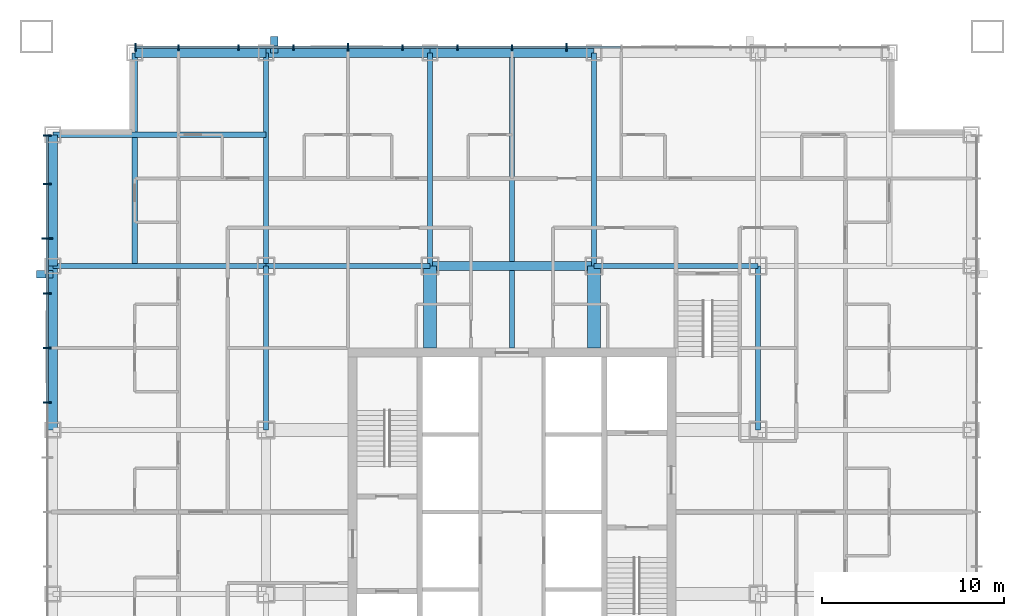
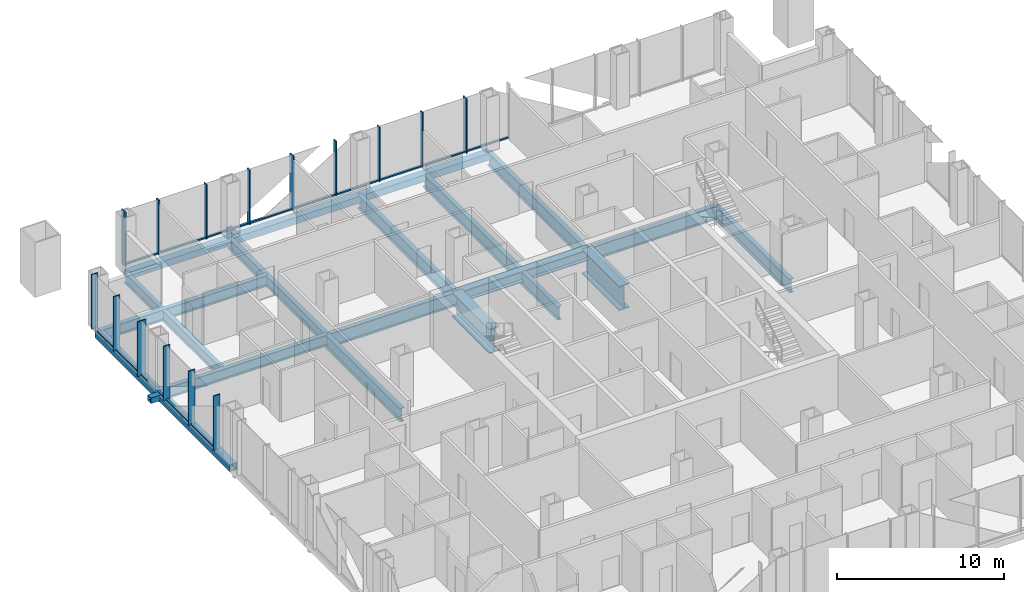
# One storey, part 4 of 13: 31 members, 19 beams, 2 elements without a shape of their own.
"""IFC4 building model written with IfcOpenShell, lengths in metres."""

from ifc_helpers import new_model, si_unit, direction, frame, origin, origin_2d, place, context, subcontext, project, spatial, rectangle, hollow_rectangle, i_section, extrude, material, layer, layer_set, material_profile, profile_set, type_object, element, aggregate, save


model = new_model("IFC4")

# Units and contexts
model_context = context("Model", 3, precision=1e-05, world=origin(), true_north=direction((0.0, 1.0)))
body_context = subcontext(model_context, "Body", "Model", "MODEL_VIEW")
ifc_project = project(units=[si_unit("LENGTHUNIT", "METRE"), si_unit("AREAUNIT", "SQUARE_METRE"), si_unit("VOLUMEUNIT", "CUBIC_METRE"), si_unit("PLANEANGLEUNIT", "RADIAN"), si_unit("MASSUNIT", "GRAM", prefix="KILO")], contexts=[model_context])

# Site, building, storey
site_placement = place(None, origin())
site = spatial("IfcSite", under=ifc_project, at=site_placement, CompositionType="ELEMENT")
building_placement = place(site_placement, origin())
building = spatial("IfcBuilding", under=site, at=building_placement, Name="Malebo Sky Hospital", CompositionType="ELEMENT")
storey_placement = place(building_placement, frame((0.0, 0.0, 39.0)))
storey = spatial("IfcBuildingStorey", under=building, at=storey_placement, Name="L08", CompositionType="ELEMENT", Elevation=39.0)

# Curtain wall, members
ifc_material_1 = material(Name="Anodised aluminium, natural silver", Category="aluminium")
ifc_layer_1 = layer(ifc_material_1, 0.25)
ifc_layer_set_1 = layer_set([ifc_layer_1], Name="WARD CURTAIN WALL NORTH AND SOUTH")
curtain_wall_type_1 = type_object("IfcCurtainWallType", Name="WARD CURTAIN WALL NORTH AND SOUTH", PredefinedType="NOTDEFINED", material=ifc_layer_set_1)
curtain_wall_1_placement = place(storey_placement, origin())
curtain_wall_1 = element("IfcCurtainWall", 1, at=curtain_wall_1_placement, inside=storey, type_object=curtain_wall_type_1, Name="NS curtain wall N", PredefinedType="NOTDEFINED")
ifc_material_profile_1 = material_profile(ifc_material_1, rectangle(XDim=0.14990234375, YDim=0.10009765625, at=origin_2d()), Name="ALUMINIUM TRANSOM 150x100")
ifc_profile_set_1 = profile_set([ifc_material_profile_1], Name="Anodised aluminium, natural silver")
member_type_1 = type_object("IfcMemberType", Name="ALUMINIUM TRANSOM 150x100", PredefinedType="USERDEFINED", material=ifc_profile_set_1)
member_1_placement = place(storey_placement, frame((39.375, 87.5, 0.050048828125), z_axis=(1.0, 0.0, 0.0), x_axis=(0.0, 1.0, 0.0)))
member_1 = element("IfcMember", 2, at=member_1_placement, type_object=member_type_1, Name="Transom 1", ObjectType="TRANSOM", PredefinedType="USERDEFINED", context=body_context, shape_type="SweptSolid", body=[
    extrude(rectangle(XDim=0.14990234375, YDim=0.10009765625, at=origin_2d()), origin(), (0.0, 0.0, 1.0), 2.28759765625),
])
member_2_placement = place(storey_placement, frame((41.737548828125, 87.5, 0.050048828125), z_axis=(1.0, 0.0, 0.0), x_axis=(0.0, 1.0, 0.0)))
member_2 = element("IfcMember", 3, at=member_2_placement, type_object=member_type_1, Name="Transom 2", ObjectType="TRANSOM", PredefinedType="USERDEFINED", context=body_context, shape_type="SweptSolid", body=[
    extrude(rectangle(XDim=0.14990234375, YDim=0.10009765625, at=origin_2d()), origin(), (0.0, 0.0, 1.0), 3.224853515625),
])
member_3_placement = place(storey_placement, frame((45.03759765625, 87.5, 0.050048828125), z_axis=(1.0, 0.0, 0.0), x_axis=(0.0, 1.0, 0.0)))
member_3 = element("IfcMember", 4, at=member_3_placement, type_object=member_type_1, Name="Transom 3", ObjectType="TRANSOM", PredefinedType="USERDEFINED", context=body_context, shape_type="SweptSolid", body=[
    extrude(rectangle(XDim=0.14990234375, YDim=0.10009765625, at=origin_2d()), origin(), (0.0, 0.0, 1.0), 2.9248046875),
])
member_4_placement = place(storey_placement, frame((48.03759765625, 87.5, 0.050048828125), z_axis=(1.0, 0.0, 0.0), x_axis=(0.0, 1.0, 0.0)))
member_4 = element("IfcMember", 5, at=member_4_placement, type_object=member_type_1, Name="Transom 4", ObjectType="TRANSOM", PredefinedType="USERDEFINED", context=body_context, shape_type="SweptSolid", body=[
    extrude(rectangle(XDim=0.14990234375, YDim=0.10009765625, at=origin_2d()), origin(), (0.0, 0.0, 1.0), 2.9248046875),
])
member_5_placement = place(storey_placement, frame((51.03759765625, 87.5, 0.050048828125), z_axis=(1.0, 0.0, 0.0), x_axis=(0.0, 1.0, 0.0)))
member_5 = element("IfcMember", 6, at=member_5_placement, type_object=member_type_1, Name="Transom 5", ObjectType="TRANSOM", PredefinedType="USERDEFINED", context=body_context, shape_type="SweptSolid", body=[
    extrude(rectangle(XDim=0.14990234375, YDim=0.10009765625, at=origin_2d()), origin(), (0.0, 0.0, 1.0), 2.9248046875),
])
member_6_placement = place(storey_placement, frame((54.03759765625, 87.5, 0.050048828125), z_axis=(1.0, 0.0, 0.0), x_axis=(0.0, 1.0, 0.0)))
member_6 = element("IfcMember", 7, at=member_6_placement, type_object=member_type_1, Name="Transom 6", ObjectType="TRANSOM", PredefinedType="USERDEFINED", context=body_context, shape_type="SweptSolid", body=[
    extrude(rectangle(XDim=0.14990234375, YDim=0.10009765625, at=origin_2d()), origin(), (0.0, 0.0, 1.0), 2.9248046875),
])
member_7_placement = place(storey_placement, frame((57.03759765625, 87.5, 0.050048828125), z_axis=(1.0, 0.0, 0.0), x_axis=(0.0, 1.0, 0.0)))
member_7 = element("IfcMember", 8, at=member_7_placement, type_object=member_type_1, Name="Transom 7", ObjectType="TRANSOM", PredefinedType="USERDEFINED", context=body_context, shape_type="SweptSolid", body=[
    extrude(rectangle(XDim=0.14990234375, YDim=0.10009765625, at=origin_2d()), origin(), (0.0, 0.0, 1.0), 2.9248046875),
])
member_8_placement = place(storey_placement, frame((60.03759765625, 87.5, 0.050048828125), z_axis=(1.0, 0.0, 0.0), x_axis=(0.0, 1.0, 0.0)))
member_8 = element("IfcMember", 9, at=member_8_placement, type_object=member_type_1, Name="Transom 8", ObjectType="TRANSOM", PredefinedType="USERDEFINED", context=body_context, shape_type="SweptSolid", body=[
    extrude(rectangle(XDim=0.14990234375, YDim=0.10009765625, at=origin_2d()), origin(), (0.0, 0.0, 1.0), 2.9248046875),
])
member_9_placement = place(storey_placement, frame((63.03759765625, 87.5, 0.050048828125), z_axis=(1.0, 0.0, 0.0), x_axis=(0.0, 1.0, 0.0)))
member_9 = element("IfcMember", 10, at=member_9_placement, type_object=member_type_1, Name="Transom 9", ObjectType="TRANSOM", PredefinedType="USERDEFINED", context=body_context, shape_type="SweptSolid", body=[
    extrude(rectangle(XDim=0.14990234375, YDim=0.10009765625, at=origin_2d()), origin(), (0.0, 0.0, 1.0), 2.9248046875),
])

ifc_layer_2 = layer(ifc_material_1, 0.25)
ifc_layer_set_2 = layer_set([ifc_layer_2], Name="WARD CURTAIN WALL EAST AND WEST")
curtain_wall_type_2 = type_object("IfcCurtainWallType", Name="WARD CURTAIN WALL EAST AND WEST", PredefinedType="NOTDEFINED", material=ifc_layer_set_2)
curtain_wall_2_placement = place(storey_placement, origin())
curtain_wall_2 = element("IfcCurtainWall", 11, at=curtain_wall_2_placement, inside=storey, type_object=curtain_wall_type_2, Name="EW curtain wall W", PredefinedType="NOTDEFINED")
member_10_placement = place(storey_placement, frame((34.5, 68.03759765625, 0.050048828125), z_axis=(0.0, 1.0, 0.0), x_axis=(-1.0, 0.0, 0.0)))
member_10 = element("IfcMember", 12, at=member_10_placement, type_object=member_type_1, Name="Transom 10", ObjectType="TRANSOM", PredefinedType="USERDEFINED", context=body_context, shape_type="SweptSolid", body=[
    extrude(rectangle(XDim=0.14990234375, YDim=0.10009765625, at=origin_2d()), origin(), (0.0, 0.0, 1.0), 2.9248046875),
])
member_11_placement = place(storey_placement, frame((34.5, 71.03759765625, 0.050048828125), z_axis=(0.0, 1.0, 0.0), x_axis=(-1.0, 0.0, 0.0)))
member_11 = element("IfcMember", 13, at=member_11_placement, type_object=member_type_1, Name="Transom 11", ObjectType="TRANSOM", PredefinedType="USERDEFINED", context=body_context, shape_type="SweptSolid", body=[
    extrude(rectangle(XDim=0.14990234375, YDim=0.10009765625, at=origin_2d()), origin(), (0.0, 0.0, 1.0), 2.9248046875),
])
member_12_placement = place(storey_placement, frame((34.5, 74.03759765625, 0.050048828125), z_axis=(0.0, 1.0, 0.0), x_axis=(-1.0, 0.0, 0.0)))
member_12 = element("IfcMember", 14, at=member_12_placement, type_object=member_type_1, Name="Transom 12", ObjectType="TRANSOM", PredefinedType="USERDEFINED", context=body_context, shape_type="SweptSolid", body=[
    extrude(rectangle(XDim=0.14990234375, YDim=0.10009765625, at=origin_2d()), origin(), (0.0, 0.0, 1.0), 2.9248046875),
])
member_13_placement = place(storey_placement, frame((34.5, 77.03759765625, 0.050048828125), z_axis=(0.0, 1.0, 0.0), x_axis=(-1.0, 0.0, 0.0)))
member_13 = element("IfcMember", 15, at=member_13_placement, type_object=member_type_1, Name="Transom 13", ObjectType="TRANSOM", PredefinedType="USERDEFINED", context=body_context, shape_type="SweptSolid", body=[
    extrude(rectangle(XDim=0.14990234375, YDim=0.10009765625, at=origin_2d()), origin(), (0.0, 0.0, 1.0), 2.9248046875),
])
member_14_placement = place(storey_placement, frame((34.5, 80.03759765625, 0.050048828125), z_axis=(0.0, 1.0, 0.0), x_axis=(-1.0, 0.0, 0.0)))
member_14 = element("IfcMember", 16, at=member_14_placement, type_object=member_type_1, Name="Transom 14", ObjectType="TRANSOM", PredefinedType="USERDEFINED", context=body_context, shape_type="SweptSolid", body=[
    extrude(rectangle(XDim=0.14990234375, YDim=0.10009765625, at=origin_2d()), origin(), (0.0, 0.0, 1.0), 2.58740234375),
])

# Members
ifc_material_2 = material(Name="Steel S355", Category="steel")
ifc_material_profile_2 = material_profile(ifc_material_2, hollow_rectangle(XDim=0.39990234375, YDim=0.39990234375, WallThickness=0.02001953125, at=origin_2d()), Name="SHS 400x20")
ifc_profile_set_2 = profile_set([ifc_material_profile_2], Name="Steel S355")
member_type_2 = type_object("IfcMemberType", Name="BRACE STRUT SHS 400x20", PredefinedType="STRUT", material=ifc_profile_set_2)
for number, where, z_axis, x_axis, name in (
    (17, (46.949951171875, 88.10009765625, -0.39990234375), (0.0, -1.0, 0.0), (1.0, 0.0, 0.0), "Brace strut AN2 L08"),
    (18, (33.89990234375, 75.050048828125, -0.39990234375), (1.0, 0.0, 0.0), (0.0, 1.0, 0.0), "Brace strut AW1 L08"),
):
    element("IfcMember", number, at=place(storey_placement, frame(where, z_axis=z_axis, x_axis=x_axis)), inside=storey, type_object=member_type_2, Name=name, PredefinedType="STRUT", context=body_context, shape_type="SweptSolid", body=[
        extrude(hollow_rectangle(XDim=0.39990234375, YDim=0.39990234375, WallThickness=0.02001953125, at=origin_2d()), origin(), (0.0, 0.0, 1.0), 0.900146484375),
    ])

# Member
ifc_material_profile_3 = material_profile(ifc_material_1, rectangle(XDim=0.074951171875, YDim=0.300048828125, at=origin_2d()), Name="CW1 ALUMINIUM FIN MULLION 75x300")
ifc_profile_set_3 = profile_set([ifc_material_profile_3], Name="Anodised aluminium, natural silver")
member_type_3 = type_object("IfcMemberType", Name="CW1 ALUMINIUM FIN MULLION 75x300", PredefinedType="MULLION", material=ifc_profile_set_3)
member_15_placement = place(storey_placement, frame((41.699951171875, 87.5, 0.0), z_axis=(0.0, 0.0, 1.0), x_axis=(1.0, 0.0, 0.0)))
member_15 = element("IfcMember", 19, at=member_15_placement, type_object=member_type_3, Name="Fin mullion 2", PredefinedType="MULLION", context=body_context, shape_type="SweptSolid", body=[
    extrude(rectangle(XDim=0.074951171875, YDim=0.300048828125, at=origin_2d()), origin(), (0.0, 0.0, 1.0), 4.0),
])

member_16_placement = place(storey_placement, frame((45.0, 87.5, 0.0), z_axis=(0.0, 0.0, 1.0), x_axis=(1.0, 0.0, 0.0)))
member_16 = element("IfcMember", 20, at=member_16_placement, type_object=member_type_3, Name="Fin mullion 3", PredefinedType="MULLION", context=body_context, shape_type="SweptSolid", body=[
    extrude(rectangle(XDim=0.074951171875, YDim=0.300048828125, at=origin_2d()), origin(), (0.0, 0.0, 1.0), 4.0),
])

member_17_placement = place(storey_placement, frame((48.0, 87.5, 0.0), z_axis=(0.0, 0.0, 1.0), x_axis=(1.0, 0.0, 0.0)))
member_17 = element("IfcMember", 21, at=member_17_placement, type_object=member_type_3, Name="Fin mullion 4", PredefinedType="MULLION", context=body_context, shape_type="SweptSolid", body=[
    extrude(rectangle(XDim=0.074951171875, YDim=0.300048828125, at=origin_2d()), origin(), (0.0, 0.0, 1.0), 4.0),
])

member_18_placement = place(storey_placement, frame((54.0, 87.5, 0.0), z_axis=(0.0, 0.0, 1.0), x_axis=(1.0, 0.0, 0.0)))
member_18 = element("IfcMember", 22, at=member_18_placement, type_object=member_type_3, Name="Fin mullion 6", PredefinedType="MULLION", context=body_context, shape_type="SweptSolid", body=[
    extrude(rectangle(XDim=0.074951171875, YDim=0.300048828125, at=origin_2d()), origin(), (0.0, 0.0, 1.0), 4.0),
])

member_19_placement = place(storey_placement, frame((57.0, 87.5, 0.0), z_axis=(0.0, 0.0, 1.0), x_axis=(1.0, 0.0, 0.0)))
member_19 = element("IfcMember", 23, at=member_19_placement, type_object=member_type_3, Name="Fin mullion 7", PredefinedType="MULLION", context=body_context, shape_type="SweptSolid", body=[
    extrude(rectangle(XDim=0.074951171875, YDim=0.300048828125, at=origin_2d()), origin(), (0.0, 0.0, 1.0), 4.0),
])

member_20_placement = place(storey_placement, frame((60.0, 87.5, 0.0), z_axis=(0.0, 0.0, 1.0), x_axis=(1.0, 0.0, 0.0)))
member_20 = element("IfcMember", 24, at=member_20_placement, type_object=member_type_3, Name="Fin mullion 8", PredefinedType="MULLION", context=body_context, shape_type="SweptSolid", body=[
    extrude(rectangle(XDim=0.074951171875, YDim=0.300048828125, at=origin_2d()), origin(), (0.0, 0.0, 1.0), 4.0),
])

ifc_material_profile_4 = material_profile(ifc_material_1, rectangle(XDim=0.074951171875, YDim=0.449951171875, at=origin_2d()), Name="CW1 ALUMINIUM FIN MULLION 75x450")
ifc_profile_set_4 = profile_set([ifc_material_profile_4], Name="Anodised aluminium, natural silver")
member_type_4 = type_object("IfcMemberType", Name="CW1 ALUMINIUM FIN MULLION 75x450", PredefinedType="MULLION", material=ifc_profile_set_4)
member_21_placement = place(storey_placement, frame((39.33740234375, 87.5, 0.0), z_axis=(0.0, 0.0, 1.0), x_axis=(1.0, 0.0, 0.0)))
member_21 = element("IfcMember", 25, at=member_21_placement, type_object=member_type_4, Name="Fin mullion 1", PredefinedType="MULLION", context=body_context, shape_type="SweptSolid", body=[
    extrude(rectangle(XDim=0.074951171875, YDim=0.449951171875, at=origin_2d()), origin(), (0.0, 0.0, 1.0), 4.0),
])

member_22_placement = place(storey_placement, frame((51.0, 87.5, 0.0), z_axis=(0.0, 0.0, 1.0), x_axis=(1.0, 0.0, 0.0)))
member_22 = element("IfcMember", 26, at=member_22_placement, type_object=member_type_4, Name="Fin mullion 5", PredefinedType="MULLION", context=body_context, shape_type="SweptSolid", body=[
    extrude(rectangle(XDim=0.074951171875, YDim=0.449951171875, at=origin_2d()), origin(), (0.0, 0.0, 1.0), 4.0),
])

member_23_placement = place(storey_placement, frame((63.0, 87.5, 0.0), z_axis=(0.0, 0.0, 1.0), x_axis=(1.0, 0.0, 0.0)))
member_23 = element("IfcMember", 27, at=member_23_placement, type_object=member_type_4, Name="Fin mullion 9", PredefinedType="MULLION", context=body_context, shape_type="SweptSolid", body=[
    extrude(rectangle(XDim=0.074951171875, YDim=0.449951171875, at=origin_2d()), origin(), (0.0, 0.0, 1.0), 4.0),
])

aggregate(curtain_wall_1, [member_21, member_15, member_16, member_17, member_22, member_18, member_19, member_20, member_23, member_1, member_2, member_3, member_4, member_5, member_6, member_7, member_8, member_9])

ifc_material_profile_5 = material_profile(ifc_material_1, rectangle(XDim=0.074951171875, YDim=0.449951171875, at=origin_2d()), Name="CW2 ALUMINIUM FIN MULLION 75x450")
ifc_profile_set_5 = profile_set([ifc_material_profile_5], Name="Anodised aluminium, natural silver")
member_type_5 = type_object("IfcMemberType", Name="CW2 ALUMINIUM FIN MULLION 75x450", PredefinedType="MULLION", material=ifc_profile_set_5)
member_24_placement = place(storey_placement, frame((34.5, 68.0, 0.0), z_axis=(0.0, 0.0, 1.0), x_axis=(0.0, 1.0, 0.0)))
member_24 = element("IfcMember", 28, at=member_24_placement, type_object=member_type_5, Name="Fin mullion 10", PredefinedType="MULLION", context=body_context, shape_type="SweptSolid", body=[
    extrude(rectangle(XDim=0.074951171875, YDim=0.449951171875, at=origin_2d()), origin(), (0.0, 0.0, 1.0), 4.0),
])

member_25_placement = place(storey_placement, frame((34.5, 71.0, 0.0), z_axis=(0.0, 0.0, 1.0), x_axis=(0.0, 1.0, 0.0)))
member_25 = element("IfcMember", 29, at=member_25_placement, type_object=member_type_5, Name="Fin mullion 11", PredefinedType="MULLION", context=body_context, shape_type="SweptSolid", body=[
    extrude(rectangle(XDim=0.074951171875, YDim=0.449951171875, at=origin_2d()), origin(), (0.0, 0.0, 1.0), 4.0),
])

member_26_placement = place(storey_placement, frame((34.5, 74.0, 0.0), z_axis=(0.0, 0.0, 1.0), x_axis=(0.0, 1.0, 0.0)))
member_26 = element("IfcMember", 30, at=member_26_placement, type_object=member_type_5, Name="Fin mullion 12", PredefinedType="MULLION", context=body_context, shape_type="SweptSolid", body=[
    extrude(rectangle(XDim=0.074951171875, YDim=0.449951171875, at=origin_2d()), origin(), (0.0, 0.0, 1.0), 4.0),
])

member_27_placement = place(storey_placement, frame((34.5, 80.0, 0.0), z_axis=(0.0, 0.0, 1.0), x_axis=(0.0, 1.0, 0.0)))
member_27 = element("IfcMember", 31, at=member_27_placement, type_object=member_type_5, Name="Fin mullion 14", PredefinedType="MULLION", context=body_context, shape_type="SweptSolid", body=[
    extrude(rectangle(XDim=0.074951171875, YDim=0.449951171875, at=origin_2d()), origin(), (0.0, 0.0, 1.0), 4.0),
])

member_28_placement = place(storey_placement, frame((34.5, 82.66259765625, 0.0), z_axis=(0.0, 0.0, 1.0), x_axis=(0.0, 1.0, 0.0)))
member_28 = element("IfcMember", 32, at=member_28_placement, type_object=member_type_5, Name="Fin mullion 15", PredefinedType="MULLION", context=body_context, shape_type="SweptSolid", body=[
    extrude(rectangle(XDim=0.074951171875, YDim=0.449951171875, at=origin_2d()), origin(), (0.0, 0.0, 1.0), 4.0),
])

ifc_material_profile_6 = material_profile(ifc_material_1, rectangle(XDim=0.074951171875, YDim=0.60009765625, at=origin_2d()), Name="CW2 ALUMINIUM FIN MULLION 75x600")
ifc_profile_set_6 = profile_set([ifc_material_profile_6], Name="Anodised aluminium, natural silver")
member_type_6 = type_object("IfcMemberType", Name="CW2 ALUMINIUM FIN MULLION 75x600", PredefinedType="MULLION", material=ifc_profile_set_6)
member_29_placement = place(storey_placement, frame((34.5, 77.0, 0.0), z_axis=(0.0, 0.0, 1.0), x_axis=(0.0, 1.0, 0.0)))
member_29 = element("IfcMember", 33, at=member_29_placement, type_object=member_type_6, Name="Fin mullion 13", PredefinedType="MULLION", context=body_context, shape_type="SweptSolid", body=[
    extrude(rectangle(XDim=0.074951171875, YDim=0.60009765625, at=origin_2d()), origin(), (0.0, 0.0, 1.0), 4.0),
])

aggregate(curtain_wall_2, [member_24, member_25, member_26, member_29, member_27, member_28, member_10, member_11, member_12, member_13, member_14])

# Beams
ifc_material_3 = material(Name="Steel S460", Category="steel")
ifc_material_profile_7 = material_profile(ifc_material_3, hollow_rectangle(XDim=0.5, YDim=0.5, WallThickness=0.030029296875, at=origin_2d()), Name="BOX 500x500x30")
ifc_profile_set_7 = profile_set([ifc_material_profile_7], Name="Steel S460")
beam_type_1 = type_object("IfcBeamType", Name="EDGE BEAM BOX 500x500x30", PredefinedType="BEAM", material=ifc_profile_set_7)
beam_1_placement = place(storey_placement, frame((34.800048828125, 66.5, -0.5), z_axis=(0.0, 1.0, 0.0), x_axis=(-1.0, 0.0, 0.0)))
element("IfcBeam", 34, at=beam_1_placement, inside=storey, type_object=beam_type_1, Name="Beam 003 L08", PredefinedType="BEAM", context=body_context, shape_type="SweptSolid", body=[
    extrude(hollow_rectangle(XDim=0.5, YDim=0.5, WallThickness=0.030029296875, at=origin_2d()), origin(), (0.0, 0.0, 1.0), 9.0),
])
for number, where, z_axis, x_axis, name in (
    (35, (34.800048828125, 75.5, -0.5), (0.0, 1.0, 0.0), (-1.0, 0.0, 0.0), "Beam 004 L08"),
    (36, (39.300048828125, 87.199951171875, -0.5), (1.0, 0.0, 0.0), (0.0, 1.0, 0.0), "Beam 063 L08"),
):
    element("IfcBeam", number, at=place(storey_placement, frame(where, z_axis=z_axis, x_axis=x_axis)), inside=storey, type_object=beam_type_1, Name=name, PredefinedType="BEAM", context=body_context, shape_type="SweptSolid", body=[
        extrude(hollow_rectangle(XDim=0.5, YDim=0.5, WallThickness=0.030029296875, at=origin_2d()), origin(), (0.0, 0.0, 1.0), 7.199951171875),
    ])
for number, where, z_axis, x_axis, name in (
    (37, (46.5, 87.199951171875, -0.5), (1.0, 0.0, 0.0), (0.0, 1.0, 0.0), "Beam 064 L08"),
    (38, (55.5, 87.199951171875, -0.5), (1.0, 0.0, 0.0), (0.0, 1.0, 0.0), "Beam 065 L08"),
):
    element("IfcBeam", number, at=place(storey_placement, frame(where, z_axis=z_axis, x_axis=x_axis)), inside=storey, type_object=beam_type_1, Name=name, PredefinedType="BEAM", context=body_context, shape_type="SweptSolid", body=[
        extrude(hollow_rectangle(XDim=0.5, YDim=0.5, WallThickness=0.030029296875, at=origin_2d()), origin(), (0.0, 0.0, 1.0), 9.0),
    ])
ifc_material_profile_8 = material_profile(ifc_material_2, i_section(OverallWidth=0.300048828125, OverallDepth=1.0, WebThickness=0.01904296875, FlangeThickness=0.035888671875, FilletRadius=0.030029296875, at=origin_2d()), Name="HEB 1000")
ifc_profile_set_8 = profile_set([ifc_material_profile_8], Name="Steel S355")
beam_type_2 = type_object("IfcBeamType", Name="FLOOR BEAM HEB 1000", PredefinedType="BEAM", material=ifc_profile_set_8)
beam_2_placement = place(storey_placement, frame((46.5, 66.5, -0.75), z_axis=(0.0, 1.0, 0.0), x_axis=(-1.0, 0.0, 0.0)))
element("IfcBeam", 39, at=beam_2_placement, inside=storey, type_object=beam_type_2, Name="Beam 010 L08", PredefinedType="BEAM", context=body_context, shape_type="SweptSolid", body=[
    extrude(i_section(OverallWidth=0.300048828125, OverallDepth=1.0, WebThickness=0.01904296875, FlangeThickness=0.035888671875, FilletRadius=0.030029296875, at=origin_2d()), origin(), (0.0, 0.0, 1.0), 9.0),
])
beam_3_placement = place(storey_placement, frame((55.5, 75.5, -0.75), z_axis=(0.0, 1.0, 0.0), x_axis=(-1.0, 0.0, 0.0)))
element("IfcBeam", 40, at=beam_3_placement, inside=storey, type_object=beam_type_2, Name="Beam 015 L08", PredefinedType="BEAM", context=body_context, shape_type="SweptSolid", body=[
    extrude(i_section(OverallWidth=0.300048828125, OverallDepth=1.0, WebThickness=0.01904296875, FlangeThickness=0.035888671875, FilletRadius=0.030029296875, at=origin_2d()), origin(), (0.0, 0.0, 1.0), 11.699951171875),
])
beam_4_placement = place(storey_placement, frame((60.0, 71.0, -0.75), z_axis=(0.0, 1.0, 0.0), x_axis=(-1.0, 0.0, 0.0)))
element("IfcBeam", 41, at=beam_4_placement, inside=storey, type_object=beam_type_2, Name="Beam 017 L08", PredefinedType="BEAM", context=body_context, shape_type="SweptSolid", body=[
    extrude(i_section(OverallWidth=0.300048828125, OverallDepth=1.0, WebThickness=0.01904296875, FlangeThickness=0.035888671875, FilletRadius=0.030029296875, at=origin_2d()), origin(), (0.0, 0.0, 1.0), 16.199951171875),
])
beam_5_placement = place(storey_placement, frame((64.5, 75.5, -0.75), z_axis=(0.0, 1.0, 0.0), x_axis=(-1.0, 0.0, 0.0)))
element("IfcBeam", 42, at=beam_5_placement, inside=storey, type_object=beam_type_2, Name="Beam 021 L08", PredefinedType="BEAM", context=body_context, shape_type="SweptSolid", body=[
    extrude(i_section(OverallWidth=0.300048828125, OverallDepth=1.0, WebThickness=0.01904296875, FlangeThickness=0.035888671875, FilletRadius=0.030029296875, at=origin_2d()), origin(), (0.0, 0.0, 1.0), 11.699951171875),
])
for number, where, z_axis, x_axis, name in (
    (43, (73.5, 66.5, -0.75), (0.0, 1.0, 0.0), (-1.0, 0.0, 0.0), "Beam 025 L08"),
    (44, (46.5, 75.5, -0.75), (1.0, 0.0, 0.0), (0.0, 1.0, 0.0), "Beam 057 L08"),
    (45, (64.5, 75.5, -0.75), (1.0, 0.0, 0.0), (0.0, 1.0, 0.0), "Beam 059 L08"),
):
    element("IfcBeam", number, at=place(storey_placement, frame(where, z_axis=z_axis, x_axis=x_axis)), inside=storey, type_object=beam_type_2, Name=name, PredefinedType="BEAM", context=body_context, shape_type="SweptSolid", body=[
        extrude(i_section(OverallWidth=0.300048828125, OverallDepth=1.0, WebThickness=0.01904296875, FlangeThickness=0.035888671875, FilletRadius=0.030029296875, at=origin_2d()), origin(), (0.0, 0.0, 1.0), 9.0),
    ])
ifc_material_profile_9 = material_profile(ifc_material_2, i_section(OverallWidth=0.300048828125, OverallDepth=0.800048828125, WebThickness=0.017578125, FlangeThickness=0.032958984375, FilletRadius=0.030029296875, at=origin_2d()), Name="HEB 800")
ifc_profile_set_9 = profile_set([ifc_material_profile_9], Name="Steel S355")
beam_type_3 = type_object("IfcBeamType", Name="FLOOR BEAM HEB 800", PredefinedType="BEAM", material=ifc_profile_set_9)
for number, where, z_axis, x_axis, name in (
    (46, (39.300048828125, 75.5, -0.64990234375), (0.0, 1.0, 0.0), (-1.0, 0.0, 0.0), "Beam 006 L08"),
    (47, (34.800048828125, 82.699951171875, -0.64990234375), (1.0, 0.0, 0.0), (0.0, 1.0, 0.0), "Beam 061 L08"),
):
    element("IfcBeam", number, at=place(storey_placement, frame(where, z_axis=z_axis, x_axis=x_axis)), inside=storey, type_object=beam_type_3, Name=name, PredefinedType="BEAM", context=body_context, shape_type="SweptSolid", body=[
        extrude(i_section(OverallWidth=0.300048828125, OverallDepth=0.800048828125, WebThickness=0.017578125, FlangeThickness=0.032958984375, FilletRadius=0.030029296875, at=origin_2d()), origin(), (0.0, 0.0, 1.0), 11.699951171875),
    ])
ifc_material_profile_10 = material_profile(ifc_material_2, i_section(OverallWidth=0.699951171875, OverallDepth=1.800048828125, WebThickness=0.034912109375, FlangeThickness=0.070068359375, at=origin_2d()), Name="PG 1800x700x35x70")
ifc_profile_set_10 = profile_set([ifc_material_profile_10], Name="Steel S355")
beam_type_4 = type_object("IfcBeamType", Name="FLOOR BEAM PG 1800x700x35x70", PredefinedType="BEAM", material=ifc_profile_set_10)
for number, where, z_axis, x_axis, name in (
    (48, (55.5, 71.0, -1.14990234375), (0.0, 1.0, 0.0), (-1.0, 0.0, 0.0), "Beam 014 L08"),
    (49, (64.5, 71.0, -1.14990234375), (0.0, 1.0, 0.0), (-1.0, 0.0, 0.0), "Beam 020 L08"),
):
    element("IfcBeam", number, at=place(storey_placement, frame(where, z_axis=z_axis, x_axis=x_axis)), inside=storey, type_object=beam_type_4, Name=name, PredefinedType="BEAM", context=body_context, shape_type="SweptSolid", body=[
        extrude(i_section(OverallWidth=0.699951171875, OverallDepth=1.800048828125, WebThickness=0.034912109375, FlangeThickness=0.070068359375, at=origin_2d()), origin(), (0.0, 0.0, 1.0), 4.5),
    ])
ifc_material_profile_11 = material_profile(ifc_material_2, i_section(OverallWidth=0.300048828125, OverallDepth=0.800048828125, WebThickness=0.017578125, FlangeThickness=0.032958984375, FilletRadius=0.030029296875, at=origin_2d()), Name="HEB 800")
ifc_profile_set_11 = profile_set([ifc_material_profile_11], Name="Steel S355")
beam_type_5 = type_object("IfcBeamType", Name="FLOOR GIRDER HEB 800", PredefinedType="BEAM", material=ifc_profile_set_11)
for number, where, z_axis, x_axis, name in (
    (50, (46.5, 75.5, -0.64990234375), (0.0, 1.0, 0.0), (-1.0, 0.0, 0.0), "Beam 011 L08"),
    (51, (34.800048828125, 75.5, -0.64990234375), (1.0, 0.0, 0.0), (0.0, 1.0, 0.0), "Beam 056 L08"),
):
    element("IfcBeam", number, at=place(storey_placement, frame(where, z_axis=z_axis, x_axis=x_axis)), inside=storey, type_object=beam_type_5, Name=name, PredefinedType="BEAM", context=body_context, shape_type="SweptSolid", body=[
        extrude(i_section(OverallWidth=0.300048828125, OverallDepth=0.800048828125, WebThickness=0.017578125, FlangeThickness=0.032958984375, FilletRadius=0.030029296875, at=origin_2d()), origin(), (0.0, 0.0, 1.0), 11.699951171875),
    ])
ifc_material_profile_12 = material_profile(ifc_material_2, i_section(OverallWidth=0.5, OverallDepth=0.800048828125, WebThickness=0.030029296875, FlangeThickness=0.050048828125, at=origin_2d()), Name="PG 800x500x30x50")
ifc_profile_set_12 = profile_set([ifc_material_profile_12], Name="Steel S355")
beam_type_6 = type_object("IfcBeamType", Name="RING GIRDER PG 800x500x30x50", PredefinedType="BEAM", material=ifc_profile_set_12)
beam_6_placement = place(storey_placement, frame((55.5, 75.5, -0.64990234375), z_axis=(1.0, 0.0, 0.0), x_axis=(0.0, 1.0, 0.0)))
element("IfcBeam", 52, at=beam_6_placement, inside=storey, type_object=beam_type_6, Name="Beam 058 L08", PredefinedType="BEAM", context=body_context, shape_type="SweptSolid", body=[
    extrude(i_section(OverallWidth=0.5, OverallDepth=0.800048828125, WebThickness=0.030029296875, FlangeThickness=0.050048828125, at=origin_2d()), origin(), (0.0, 0.0, 1.0), 9.0),
])

save(model, "model.ifc")
